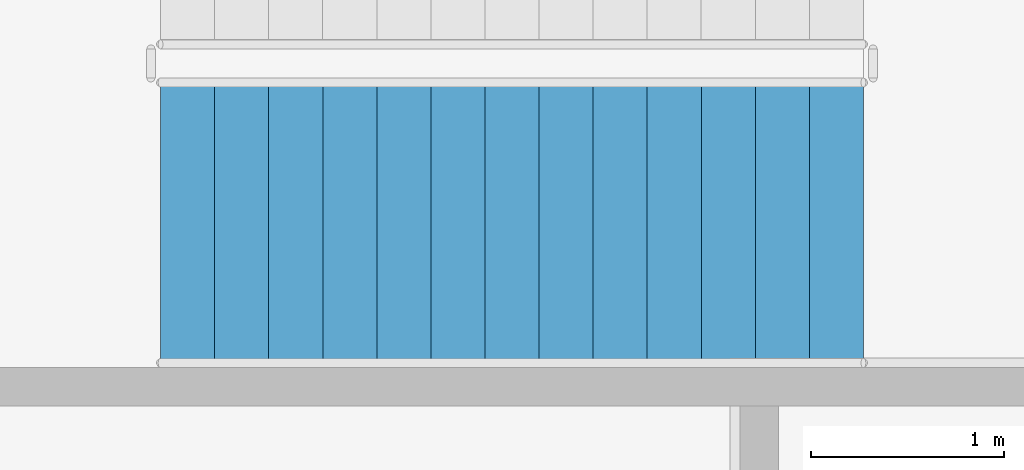
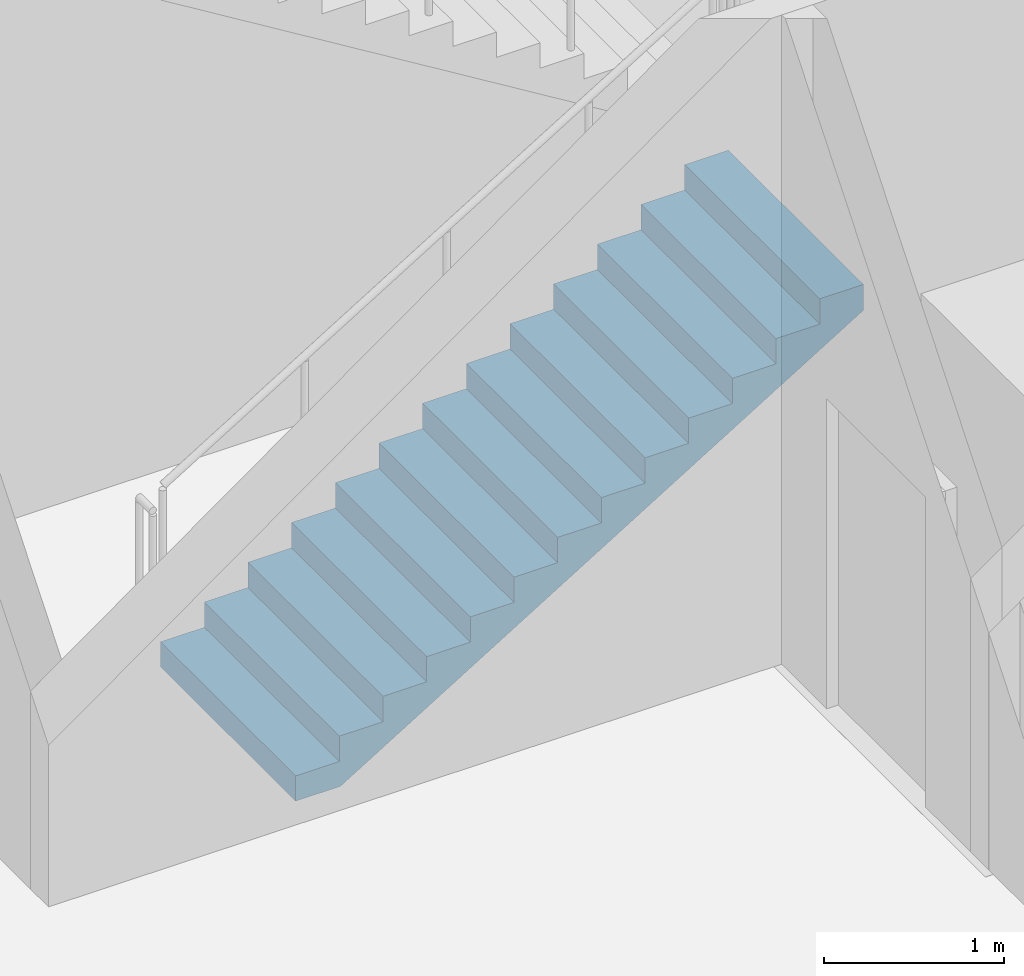
# One storey, part 73 of 91: 1 stair flight, 1 element without a shape of its own.
"""IFC4 building model written with IfcOpenShell, lengths in metres."""

from ifc_helpers import new_model, si_unit, direction, frame, origin, place, context, subcontext, project, spatial, triangles, material, type_object, element, aggregate, save


model = new_model("IFC4")

# Units and contexts
model_context = context("Model", 3, precision=1e-05, world=origin(), true_north=direction((0.0, 1.0)))
body_context = subcontext(model_context, "Body", "Model", "MODEL_VIEW")
ifc_project = project(units=[si_unit("LENGTHUNIT", "METRE"), si_unit("AREAUNIT", "SQUARE_METRE"), si_unit("VOLUMEUNIT", "CUBIC_METRE"), si_unit("PLANEANGLEUNIT", "RADIAN"), si_unit("MASSUNIT", "GRAM", prefix="KILO")], contexts=[model_context])

# Site, building, storey
site_placement = place(None, origin())
site = spatial("IfcSite", under=ifc_project, at=site_placement, CompositionType="ELEMENT")
building_placement = place(site_placement, origin())
building = spatial("IfcBuilding", under=site, at=building_placement, Name="Magnolia Steps Interchange", CompositionType="ELEMENT")
storey_placement = place(building_placement, origin())
storey = spatial("IfcBuildingStorey", under=building, at=storey_placement, Name="L00", CompositionType="ELEMENT", Elevation=0.0)

# Stair, stair flight
ifc_material_1 = material(Name="Concrete C40", Category="concrete")
stair_type = type_object("IfcStairType", Name="Exit stair 1500", PredefinedType="HALF_TURN_STAIR", material=ifc_material_1)
stair_placement = place(storey_placement, origin())
stair = element("IfcStair", 1, at=stair_placement, inside=storey, type_object=stair_type, Name="L00 Stair 27", PredefinedType="HALF_TURN_STAIR")
ifc_material_2 = material(Name="Concrete C40", Category="concrete")
stair_flight_type = type_object("IfcStairFlightType", Name="Exit stair flight", PredefinedType="STRAIGHT", material=ifc_material_2)
stair_flight_placement = place(storey_placement, frame((123.0, 93.5, 0.0), z_axis=(0.0, 0.0, 1.0), x_axis=(1.0, 0.0, 0.0)))
stair_flight = element("IfcStairFlight", 2, at=stair_flight_placement, type_object=stair_flight_type, Name="Stair 27 flight 1", NumberOfRisers=14, NumberOfTreads=13, PredefinedType="STRAIGHT", RiserHeight=0.171428571, TreadLength=0.28, context=body_context, shape_type="Tessellation", body=[
    triangles([(0.0, -0.75, 0.0), (0.287109375, -0.75, 0.0), (3.639892578125, -0.75, 2.052734375), (3.639892578125, -0.75, 2.228515625), (3.360107421875, -0.75, 2.228515625), (3.360107421875, -0.75, 2.05712890625), (3.080078125, -0.75, 2.05712890625), (3.080078125, -0.75, 1.8857421875), (2.800048828125, -0.75, 1.8857421875), (2.800048828125, -0.75, 1.71435546875), (2.52001953125, -0.75, 1.71435546875), (2.52001953125, -0.75, 1.54296875), (2.239990234375, -0.75, 1.54296875), (2.239990234375, -0.75, 1.371337890625), (1.9599609375, -0.75, 1.371337890625), (1.9599609375, -0.75, 1.199951171875), (1.679931640625, -0.75, 1.199951171875), (1.679931640625, -0.75, 1.028564453125), (1.39990234375, -0.75, 1.028564453125), (1.39990234375, -0.75, 0.857177734375), (1.1201171875, -0.75, 0.857177734375), (1.1201171875, -0.75, 0.685791015625), (0.840087890625, -0.75, 0.685791015625), (0.840087890625, -0.75, 0.514404296875), (0.56005859375, -0.75, 0.514404296875), (0.56005859375, -0.75, 0.3427734375), (0.280029296875, -0.75, 0.3427734375), (0.280029296875, -0.75, 0.17138671875), (0.0, -0.75, 0.17138671875), (0.0, 0.75, 0.0), (0.287109375, 0.75, 0.0), (3.639892578125, 0.75, 2.052734375), (3.639892578125, 0.75, 2.228515625), (3.360107421875, 0.75, 2.228515625), (3.360107421875, 0.75, 2.05712890625), (3.080078125, 0.75, 2.05712890625), (3.080078125, 0.75, 1.8857421875), (2.800048828125, 0.75, 1.8857421875), (2.800048828125, 0.75, 1.71435546875), (2.52001953125, 0.75, 1.71435546875), (2.52001953125, 0.75, 1.54296875), (2.239990234375, 0.75, 1.54296875), (2.239990234375, 0.75, 1.371337890625), (1.9599609375, 0.75, 1.371337890625), (1.9599609375, 0.75, 1.199951171875), (1.679931640625, 0.75, 1.199951171875), (1.679931640625, 0.75, 1.028564453125), (1.39990234375, 0.75, 1.028564453125), (1.39990234375, 0.75, 0.857177734375), (1.1201171875, 0.75, 0.857177734375), (1.1201171875, 0.75, 0.685791015625), (0.840087890625, 0.75, 0.685791015625), (0.840087890625, 0.75, 0.514404296875), (0.56005859375, 0.75, 0.514404296875), (0.56005859375, 0.75, 0.3427734375), (0.280029296875, 0.75, 0.3427734375), (0.280029296875, 0.75, 0.17138671875), (0.0, 0.75, 0.17138671875), (0.0, 0.0, 0.0), (0.0, 0.0, 0.0428466796875), (0.0, 0.0, 0.085693359375), (0.0, 0.0, 0.1285400390625), (0.0, 0.0, 0.17138671875), (0.0, -0.05, 0.0), (0.0, -0.05, 0.17138671875), (0.0, 0.05, 0.0), (0.0, 0.05, 0.17138671875), (0.046671549479166664, 0.0, 0.17138671875), (0.09334309895833333, 0.0, 0.17138671875), (0.1400146484375, 0.0, 0.17138671875), (0.18668619791666666, 0.0, 0.17138671875), (0.23335774739583334, 0.0, 0.17138671875), (0.280029296875, 0.0, 0.17138671875), (0.280029296875, -0.05, 0.17138671875), (0.280029296875, 0.05, 0.17138671875), (0.280029296875, 0.0, 0.2142333984375), (0.280029296875, 0.0, 0.257080078125), (0.280029296875, 0.0, 0.2999267578125), (0.280029296875, 0.0, 0.3427734375), (0.280029296875, -0.05, 0.3427734375), (0.280029296875, 0.05, 0.3427734375), (0.3267008463541667, 0.0, 0.3427734375), (0.3733723958333333, 0.0, 0.3427734375), (0.4200439453125, 0.0, 0.3427734375), (0.46671549479166663, 0.0, 0.3427734375), (0.5133870442708334, 0.0, 0.3427734375), (0.56005859375, 0.0, 0.3427734375), (0.56005859375, -0.05, 0.3427734375), (0.56005859375, 0.05, 0.3427734375), (0.56005859375, 0.0, 0.38568115234375), (0.56005859375, 0.0, 0.4285888671875), (0.56005859375, 0.0, 0.47149658203125), (0.56005859375, 0.0, 0.514404296875), (0.56005859375, -0.05, 0.514404296875), (0.56005859375, 0.05, 0.514404296875), (0.6067301432291666, 0.0, 0.514404296875), (0.6534016927083334, 0.0, 0.514404296875), (0.7000732421875, 0.0, 0.514404296875), (0.7467447916666666, 0.0, 0.514404296875), (0.7934163411458334, 0.0, 0.514404296875), (0.840087890625, 0.0, 0.514404296875), (0.840087890625, -0.05, 0.514404296875), (0.840087890625, 0.05, 0.514404296875), (0.840087890625, 0.0, 0.5572509765625), (0.840087890625, 0.0, 0.60009765625), (0.840087890625, 0.0, 0.6429443359375), (0.840087890625, 0.0, 0.685791015625), (0.840087890625, -0.05, 0.685791015625), (0.840087890625, 0.05, 0.685791015625), (0.8867594401041666, 0.0, 0.685791015625), (0.9334309895833334, 0.0, 0.685791015625), (0.9801025390625, 0.0, 0.685791015625), (1.0267740885416667, 0.0, 0.685791015625), (1.0734456380208333, 0.0, 0.685791015625), (1.1201171875, 0.0, 0.685791015625), (1.1201171875, -0.05, 0.685791015625), (1.1201171875, 0.05, 0.685791015625), (1.1201171875, 0.0, 0.7286376953125), (1.1201171875, 0.0, 0.771484375), (1.1201171875, 0.0, 0.8143310546875), (1.1201171875, 0.0, 0.857177734375), (1.1201171875, -0.05, 0.857177734375), (1.1201171875, 0.05, 0.857177734375), (1.1900634765625, 0.0, 0.857177734375), (1.260009765625, 0.0, 0.857177734375), (1.3299560546875, 0.0, 0.857177734375), (1.39990234375, 0.0, 0.857177734375), (1.39990234375, -0.05, 0.857177734375), (1.39990234375, 0.05, 0.857177734375), (1.39990234375, 0.0, 0.9000244140625), (1.39990234375, 0.0, 0.94287109375), (1.39990234375, 0.0, 0.9857177734375), (1.39990234375, 0.0, 1.028564453125), (1.39990234375, -0.05, 1.028564453125), (1.39990234375, 0.05, 1.028564453125), (1.4465738932291667, 0.0, 1.028564453125), (1.4932454427083333, 0.0, 1.028564453125), (1.5399169921875, 0.0, 1.028564453125), (1.5865885416666667, 0.0, 1.028564453125), (1.6332600911458333, 0.0, 1.028564453125), (1.679931640625, 0.0, 1.028564453125), (1.679931640625, -0.05, 1.028564453125), (1.679931640625, 0.05, 1.028564453125), (1.679931640625, 0.0, 1.0714111328125), (1.679931640625, 0.0, 1.1142578125), (1.679931640625, 0.0, 1.1571044921875), (1.679931640625, 0.0, 1.199951171875), (1.679931640625, -0.05, 1.199951171875), (1.679931640625, 0.05, 1.199951171875), (1.7266031901041667, 0.0, 1.199951171875), (1.7732747395833333, 0.0, 1.199951171875), (1.8199462890625, 0.0, 1.199951171875), (1.8666178385416667, 0.0, 1.199951171875), (1.9132893880208333, 0.0, 1.199951171875), (1.9599609375, 0.0, 1.199951171875), (1.9599609375, -0.05, 1.199951171875), (1.9599609375, 0.05, 1.199951171875), (1.9599609375, 0.0, 1.2427978515625), (1.9599609375, 0.0, 1.28564453125), (1.9599609375, 0.0, 1.3284912109375), (1.9599609375, 0.0, 1.371337890625), (1.9599609375, -0.05, 1.371337890625), (1.9599609375, 0.05, 1.371337890625), (2.0066324869791665, 0.0, 1.371337890625), (2.0533040364583335, 0.0, 1.371337890625), (2.0999755859375, 0.0, 1.371337890625), (2.1466471354166665, 0.0, 1.371337890625), (2.1933186848958335, 0.0, 1.371337890625), (2.239990234375, 0.0, 1.371337890625), (2.239990234375, -0.05, 1.371337890625), (2.239990234375, 0.05, 1.371337890625), (2.239990234375, 0.0, 1.41424560546875), (2.239990234375, 0.0, 1.4571533203125), (2.239990234375, 0.0, 1.50006103515625), (2.239990234375, 0.0, 1.54296875), (2.239990234375, -0.05, 1.54296875), (2.239990234375, 0.05, 1.54296875), (2.2866617838541665, 0.0, 1.54296875), (2.3333333333333335, 0.0, 1.54296875), (2.3800048828125, 0.0, 1.54296875), (2.4266764322916665, 0.0, 1.54296875), (2.4733479817708335, 0.0, 1.54296875), (2.52001953125, 0.0, 1.54296875), (2.52001953125, -0.05, 1.54296875), (2.52001953125, 0.05, 1.54296875), (2.52001953125, 0.0, 1.5858154296875), (2.52001953125, 0.0, 1.628662109375), (2.52001953125, 0.0, 1.6715087890625), (2.52001953125, 0.0, 1.71435546875), (2.52001953125, -0.05, 1.71435546875), (2.52001953125, 0.05, 1.71435546875), (2.5666910807291665, 0.0, 1.71435546875), (2.6133626302083335, 0.0, 1.71435546875), (2.6600341796875, 0.0, 1.71435546875), (2.7067057291666665, 0.0, 1.71435546875), (2.7533772786458335, 0.0, 1.71435546875), (2.800048828125, 0.0, 1.71435546875), (2.800048828125, -0.05, 1.71435546875), (2.800048828125, 0.05, 1.71435546875), (2.800048828125, 0.0, 1.7572021484375), (2.800048828125, 0.0, 1.800048828125), (2.800048828125, 0.0, 1.8428955078125), (2.800048828125, 0.0, 1.8857421875), (2.800048828125, -0.05, 1.8857421875), (2.800048828125, 0.05, 1.8857421875), (2.8467203776041665, 0.0, 1.8857421875), (2.8933919270833335, 0.0, 1.8857421875), (2.9400634765625, 0.0, 1.8857421875), (2.9867350260416665, 0.0, 1.8857421875), (3.0334065755208335, 0.0, 1.8857421875), (3.080078125, 0.0, 1.8857421875), (3.080078125, -0.05, 1.8857421875), (3.080078125, 0.05, 1.8857421875), (3.080078125, 0.0, 1.9285888671875), (3.080078125, 0.0, 1.971435546875), (3.080078125, 0.0, 2.0142822265625), (3.080078125, 0.0, 2.05712890625), (3.080078125, -0.05, 2.05712890625), (3.080078125, 0.05, 2.05712890625), (3.1267496744791665, 0.0, 2.05712890625), (3.1734212239583335, 0.0, 2.05712890625), (3.2200927734375, 0.0, 2.05712890625), (3.2667643229166665, 0.0, 2.05712890625), (3.3134358723958335, 0.0, 2.05712890625), (3.360107421875, 0.0, 2.05712890625), (3.360107421875, -0.05, 2.05712890625), (3.360107421875, 0.05, 2.05712890625), (3.360107421875, 0.0, 2.0999755859375), (3.360107421875, 0.0, 2.142822265625), (3.360107421875, 0.0, 2.1856689453125), (3.360107421875, 0.0, 2.228515625), (3.360107421875, -0.05, 2.228515625), (3.360107421875, 0.05, 2.228515625), (3.4300537109375, 0.0, 2.228515625), (3.5, 0.0, 2.228515625), (3.5699462890625, 0.0, 2.228515625), (3.639892578125, 0.0, 2.228515625), (3.639892578125, -0.05, 2.228515625), (3.639892578125, 0.05, 2.228515625), (3.639892578125, 0.0, 2.1845703125), (3.639892578125, 0.0, 2.140625), (3.639892578125, 0.0, 2.0966796875), (3.639892578125, 0.0, 2.052734375), (3.639892578125, -0.05, 2.052734375), (3.639892578125, 0.05, 2.052734375), (3.582085971174569, 0.0, 2.0173424030172415), (3.524279364224138, 0.0, 1.9819504310344827), (3.466472757273707, 0.0, 1.9465584590517242), (3.408666150323276, 0.0, 1.9111664870689655), (3.3508595433728448, 0.0, 1.8757745150862069), (3.2930529364224137, 0.0, 1.8403825431034484), (3.2352463294719827, 0.0, 1.8049905711206897), (3.1774397225215516, 0.0, 1.769598599137931), (3.1196331155711206, 0.0, 1.7342066271551724), (3.0618265086206895, 0.0, 1.6988146551724137), (3.004019901670259, 0.0, 1.6634226831896552), (2.9462132947198274, 0.0, 1.6280307112068966), (2.888406687769397, 0.0, 1.592638739224138), (2.8306000808189653, 0.0, 1.5572467672413794), (2.7727934738685347, 0.0, 1.5218547952586206), (2.714986866918103, 0.0, 1.486462823275862), (2.6571802599676726, 0.0, 1.4510708512931034), (2.599373653017241, 0.0, 1.4156788793103448), (2.5415670460668105, 0.0, 1.3802869073275863), (2.483760439116379, 0.0, 1.3448949353448276), (2.4259538321659484, 0.0, 1.309502963362069), (2.3681472252155173, 0.0, 1.2741109913793105), (2.3103406182650863, 0.0, 1.2387190193965516), (2.2525340113146552, 0.0, 1.2033270474137931), (2.194727404364224, 0.0, 1.1679350754310345), (2.136920797413793, 0.0, 1.1325431034482758), (2.079114190463362, 0.0, 1.0971511314655173), (2.021307583512931, 0.0, 1.0617591594827587), (1.9635009765625, 0.0, 1.0263671875), (1.905694369612069, 0.0, 0.9909752155172413), (1.847887762661638, 0.0, 0.9555832435344827), (1.7900811557112069, 0.0, 0.9201912715517242), (1.7322745487607758, 0.0, 0.8847992995689655), (1.6744679418103448, 0.0, 0.8494073275862069), (1.6166613348599137, 0.0, 0.8140153556034482), (1.5588547279094827, 0.0, 0.7786233836206897), (1.5010481209590516, 0.0, 0.743231411637931), (1.4432415140086206, 0.0, 0.7078394396551724), (1.3854349070581895, 0.0, 0.6724474676724137), (1.3276283001077585, 0.0, 0.6370554956896552), (1.2698216931573274, 0.0, 0.6016635237068966), (1.2120150862068964, 0.0, 0.5662715517241379), (1.1542084792564653, 0.0, 0.5308795797413792), (1.0964018723060347, 0.0, 0.4954876077586208), (1.0385952653556036, 0.0, 0.4600956357758621), (0.9807886584051726, 0.0, 0.4247036637931034), (0.9229820514547415, 0.0, 0.38931169181034475), (0.8651754445043105, 0.0, 0.3539197198275863), (0.8073688375538794, 0.0, 0.3185277478448276), (0.7495622306034484, 0.0, 0.28313577586206895), (0.6917556236530173, 0.0, 0.24774380387931028), (0.6339490167025863, 0.0, 0.21235183189655182), (0.5761424097521552, 0.0, 0.17695985991379315), (0.5183358028017242, 0.0, 0.14156788793103448), (0.46052919585129315, 0.0, 0.1061759159482758), (0.4027225889008621, 0.0, 0.07078394396551735), (0.34491598195043105, 0.0, 0.03539197198275845), (0.287109375, 0.0, 0.0), (0.287109375, -0.05, 0.0), (0.287109375, 0.05, 0.0), (0.2392578125, 0.0, 0.0), (0.19140625, 0.0, 0.0), (0.1435546875, 0.0, 0.0), (0.095703125, 0.0, 0.0), (0.0478515625, 0.0, 0.0)], [[1, 2, 3], [3, 4, 5], [3, 5, 6], [3, 6, 7], [3, 7, 8], [8, 9, 10], [3, 8, 10], [10, 11, 12], [3, 10, 12], [12, 13, 14], [3, 12, 14], [14, 15, 16], [3, 14, 16], [16, 17, 18], [3, 16, 18], [18, 19, 20], [3, 18, 20], [20, 21, 22], [3, 20, 22], [22, 23, 24], [3, 22, 24], [24, 25, 26], [3, 24, 26], [26, 27, 28], [3, 26, 28], [1, 3, 28], [28, 29, 1], [30, 32, 31], [32, 34, 33], [32, 35, 34], [32, 36, 35], [32, 37, 36], [37, 39, 38], [32, 39, 37], [39, 41, 40], [32, 41, 39], [41, 43, 42], [32, 43, 41], [43, 45, 44], [32, 45, 43], [45, 47, 46], [32, 47, 45], [47, 49, 48], [32, 49, 47], [49, 51, 50], [32, 51, 49], [51, 53, 52], [32, 53, 51], [53, 55, 54], [32, 55, 53], [55, 57, 56], [32, 57, 55], [30, 57, 32], [57, 30, 58], [1, 29, 65], [1, 65, 64], [64, 60, 59], [64, 61, 60], [64, 65, 61], [65, 62, 61], [65, 63, 62], [30, 67, 58], [30, 66, 67], [66, 59, 60], [66, 60, 61], [66, 61, 67], [67, 61, 62], [67, 62, 63], [29, 28, 74], [29, 74, 65], [65, 68, 63], [65, 69, 68], [65, 70, 69], [65, 74, 70], [74, 71, 70], [74, 72, 71], [74, 73, 72], [58, 75, 57], [58, 67, 75], [67, 63, 68], [67, 68, 69], [67, 69, 70], [67, 70, 75], [75, 70, 71], [75, 71, 72], [75, 72, 73], [28, 27, 80], [28, 80, 74], [74, 76, 73], [74, 77, 76], [74, 80, 77], [80, 78, 77], [80, 79, 78], [57, 81, 56], [57, 75, 81], [75, 73, 76], [75, 76, 77], [75, 77, 81], [81, 77, 78], [81, 78, 79], [27, 26, 88], [27, 88, 80], [80, 82, 79], [80, 83, 82], [80, 84, 83], [80, 88, 84], [88, 85, 84], [88, 86, 85], [88, 87, 86], [56, 89, 55], [56, 81, 89], [81, 79, 82], [81, 82, 83], [81, 83, 84], [81, 84, 89], [89, 84, 85], [89, 85, 86], [89, 86, 87], [26, 25, 94], [26, 94, 88], [88, 90, 87], [88, 91, 90], [88, 94, 91], [94, 92, 91], [94, 93, 92], [55, 95, 54], [55, 89, 95], [89, 87, 90], [89, 90, 91], [89, 91, 95], [95, 91, 92], [95, 92, 93], [25, 24, 102], [25, 102, 94], [94, 96, 93], [94, 97, 96], [94, 98, 97], [94, 102, 98], [102, 99, 98], [102, 100, 99], [102, 101, 100], [54, 103, 53], [54, 95, 103], [95, 93, 96], [95, 96, 97], [95, 97, 98], [95, 98, 103], [103, 98, 99], [103, 99, 100], [103, 100, 101], [24, 23, 108], [24, 108, 102], [102, 104, 101], [102, 105, 104], [102, 108, 105], [108, 106, 105], [108, 107, 106], [53, 109, 52], [53, 103, 109], [103, 101, 104], [103, 104, 105], [103, 105, 109], [109, 105, 106], [109, 106, 107], [23, 22, 116], [23, 116, 108], [108, 110, 107], [108, 111, 110], [108, 112, 111], [108, 116, 112], [116, 113, 112], [116, 114, 113], [116, 115, 114], [52, 117, 51], [52, 109, 117], [109, 107, 110], [109, 110, 111], [109, 111, 112], [109, 112, 117], [117, 112, 113], [117, 113, 114], [117, 114, 115], [22, 21, 122], [22, 122, 116], [116, 118, 115], [116, 119, 118], [116, 122, 119], [122, 120, 119], [122, 121, 120], [51, 123, 50], [51, 117, 123], [117, 115, 118], [117, 118, 119], [117, 119, 123], [123, 119, 120], [123, 120, 121], [21, 20, 128], [21, 128, 122], [122, 124, 121], [122, 125, 124], [122, 128, 125], [128, 126, 125], [128, 127, 126], [50, 129, 49], [50, 123, 129], [123, 121, 124], [123, 124, 125], [123, 125, 129], [129, 125, 126], [129, 126, 127], [20, 19, 134], [20, 134, 128], [128, 130, 127], [128, 131, 130], [128, 134, 131], [134, 132, 131], [134, 133, 132], [49, 135, 48], [49, 129, 135], [129, 127, 130], [129, 130, 131], [129, 131, 135], [135, 131, 132], [135, 132, 133], [19, 18, 142], [19, 142, 134], [134, 136, 133], [134, 137, 136], [134, 138, 137], [134, 142, 138], [142, 139, 138], [142, 140, 139], [142, 141, 140], [48, 143, 47], [48, 135, 143], [135, 133, 136], [135, 136, 137], [135, 137, 138], [135, 138, 143], [143, 138, 139], [143, 139, 140], [143, 140, 141], [18, 17, 148], [18, 148, 142], [142, 144, 141], [142, 145, 144], [142, 148, 145], [148, 146, 145], [148, 147, 146], [47, 149, 46], [47, 143, 149], [143, 141, 144], [143, 144, 145], [143, 145, 149], [149, 145, 146], [149, 146, 147], [17, 16, 156], [17, 156, 148], [148, 150, 147], [148, 151, 150], [148, 152, 151], [148, 156, 152], [156, 153, 152], [156, 154, 153], [156, 155, 154], [46, 157, 45], [46, 149, 157], [149, 147, 150], [149, 150, 151], [149, 151, 152], [149, 152, 157], [157, 152, 153], [157, 153, 154], [157, 154, 155], [16, 15, 162], [16, 162, 156], [156, 158, 155], [156, 159, 158], [156, 162, 159], [162, 160, 159], [162, 161, 160], [45, 163, 44], [45, 157, 163], [157, 155, 158], [157, 158, 159], [157, 159, 163], [163, 159, 160], [163, 160, 161], [15, 14, 170], [15, 170, 162], [162, 164, 161], [162, 165, 164], [162, 166, 165], [162, 170, 166], [170, 167, 166], [170, 168, 167], [170, 169, 168], [44, 171, 43], [44, 163, 171], [163, 161, 164], [163, 164, 165], [163, 165, 166], [163, 166, 171], [171, 166, 167], [171, 167, 168], [171, 168, 169], [14, 13, 176], [14, 176, 170], [170, 172, 169], [170, 173, 172], [170, 176, 173], [176, 174, 173], [176, 175, 174], [43, 177, 42], [43, 171, 177], [171, 169, 172], [171, 172, 173], [171, 173, 177], [177, 173, 174], [177, 174, 175], [13, 12, 184], [13, 184, 176], [176, 178, 175], [176, 179, 178], [176, 180, 179], [176, 184, 180], [184, 181, 180], [184, 182, 181], [184, 183, 182], [42, 185, 41], [42, 177, 185], [177, 175, 178], [177, 178, 179], [177, 179, 180], [177, 180, 185], [185, 180, 181], [185, 181, 182], [185, 182, 183], [12, 11, 190], [12, 190, 184], [184, 186, 183], [184, 187, 186], [184, 190, 187], [190, 188, 187], [190, 189, 188], [41, 191, 40], [41, 185, 191], [185, 183, 186], [185, 186, 187], [185, 187, 191], [191, 187, 188], [191, 188, 189], [11, 10, 198], [11, 198, 190], [190, 192, 189], [190, 193, 192], [190, 194, 193], [190, 198, 194], [198, 195, 194], [198, 196, 195], [198, 197, 196], [40, 199, 39], [40, 191, 199], [191, 189, 192], [191, 192, 193], [191, 193, 194], [191, 194, 199], [199, 194, 195], [199, 195, 196], [199, 196, 197], [10, 9, 204], [10, 204, 198], [198, 200, 197], [198, 201, 200], [198, 204, 201], [204, 202, 201], [204, 203, 202], [39, 205, 38], [39, 199, 205], [199, 197, 200], [199, 200, 201], [199, 201, 205], [205, 201, 202], [205, 202, 203], [9, 8, 212], [9, 212, 204], [204, 206, 203], [204, 207, 206], [204, 208, 207], [204, 212, 208], [212, 209, 208], [212, 210, 209], [212, 211, 210], [38, 213, 37], [38, 205, 213], [205, 203, 206], [205, 206, 207], [205, 207, 208], [205, 208, 213], [213, 208, 209], [213, 209, 210], [213, 210, 211], [8, 7, 218], [8, 218, 212], [212, 214, 211], [212, 215, 214], [212, 218, 215], [218, 216, 215], [218, 217, 216], [37, 219, 36], [37, 213, 219], [213, 211, 214], [213, 214, 215], [213, 215, 219], [219, 215, 216], [219, 216, 217], [7, 6, 226], [7, 226, 218], [218, 220, 217], [218, 221, 220], [218, 222, 221], [218, 226, 222], [226, 223, 222], [226, 224, 223], [226, 225, 224], [36, 227, 35], [36, 219, 227], [219, 217, 220], [219, 220, 221], [219, 221, 222], [219, 222, 227], [227, 222, 223], [227, 223, 224], [227, 224, 225], [6, 5, 232], [6, 232, 226], [226, 228, 225], [226, 229, 228], [226, 232, 229], [232, 230, 229], [232, 231, 230], [35, 233, 34], [35, 227, 233], [227, 225, 228], [227, 228, 229], [227, 229, 233], [233, 229, 230], [233, 230, 231], [5, 4, 238], [5, 238, 232], [232, 234, 231], [232, 235, 234], [232, 238, 235], [238, 236, 235], [238, 237, 236], [34, 239, 33], [34, 233, 239], [233, 231, 234], [233, 234, 235], [233, 235, 239], [239, 235, 236], [239, 236, 237], [4, 3, 244], [4, 244, 238], [238, 240, 237], [238, 241, 240], [238, 244, 241], [244, 242, 241], [244, 243, 242], [33, 245, 32], [33, 239, 245], [239, 237, 240], [239, 240, 241], [239, 241, 245], [245, 241, 242], [245, 242, 243], [3, 2, 304], [3, 304, 244], [244, 246, 243], [244, 247, 246], [244, 248, 247], [244, 249, 248], [244, 250, 249], [244, 251, 250], [244, 252, 251], [244, 253, 252], [244, 254, 253], [244, 255, 254], [244, 256, 255], [244, 257, 256], [244, 258, 257], [244, 259, 258], [244, 260, 259], [244, 261, 260], [244, 262, 261], [244, 263, 262], [244, 264, 263], [244, 265, 264], [244, 266, 265], [244, 267, 266], [244, 268, 267], [244, 269, 268], [244, 270, 269], [244, 271, 270], [244, 272, 271], [244, 273, 272], [244, 274, 273], [244, 304, 274], [304, 275, 274], [304, 276, 275], [304, 277, 276], [304, 278, 277], [304, 279, 278], [304, 280, 279], [304, 281, 280], [304, 282, 281], [304, 283, 282], [304, 284, 283], [304, 285, 284], [304, 286, 285], [304, 287, 286], [304, 288, 287], [304, 289, 288], [304, 290, 289], [304, 291, 290], [304, 292, 291], [304, 293, 292], [304, 294, 293], [304, 295, 294], [304, 296, 295], [304, 297, 296], [304, 298, 297], [304, 299, 298], [304, 300, 299], [304, 301, 300], [304, 302, 301], [304, 303, 302], [32, 305, 31], [32, 245, 305], [245, 243, 246], [245, 246, 247], [245, 247, 248], [245, 248, 249], [245, 249, 250], [245, 250, 251], [245, 251, 252], [245, 252, 253], [245, 253, 254], [245, 254, 255], [245, 255, 256], [245, 256, 257], [245, 257, 258], [245, 258, 259], [245, 259, 260], [245, 260, 261], [245, 261, 262], [245, 262, 263], [245, 263, 264], [245, 264, 265], [245, 265, 266], [245, 266, 267], [245, 267, 268], [245, 268, 269], [245, 269, 270], [245, 270, 271], [245, 271, 272], [245, 272, 273], [245, 273, 274], [245, 274, 305], [305, 274, 275], [305, 275, 276], [305, 276, 277], [305, 277, 278], [305, 278, 279], [305, 279, 280], [305, 280, 281], [305, 281, 282], [305, 282, 283], [305, 283, 284], [305, 284, 285], [305, 285, 286], [305, 286, 287], [305, 287, 288], [305, 288, 289], [305, 289, 290], [305, 290, 291], [305, 291, 292], [305, 292, 293], [305, 293, 294], [305, 294, 295], [305, 295, 296], [305, 296, 297], [305, 297, 298], [305, 298, 299], [305, 299, 300], [305, 300, 301], [305, 301, 302], [305, 302, 303], [2, 1, 64], [2, 64, 304], [304, 306, 303], [304, 307, 306], [304, 308, 307], [304, 64, 308], [64, 309, 308], [64, 310, 309], [64, 59, 310], [31, 66, 30], [31, 305, 66], [305, 303, 306], [305, 306, 307], [305, 307, 308], [305, 308, 66], [66, 308, 309], [66, 309, 310], [66, 310, 59]], closed=True),
])
aggregate(stair, [stair_flight])

save(model, "model.ifc")
